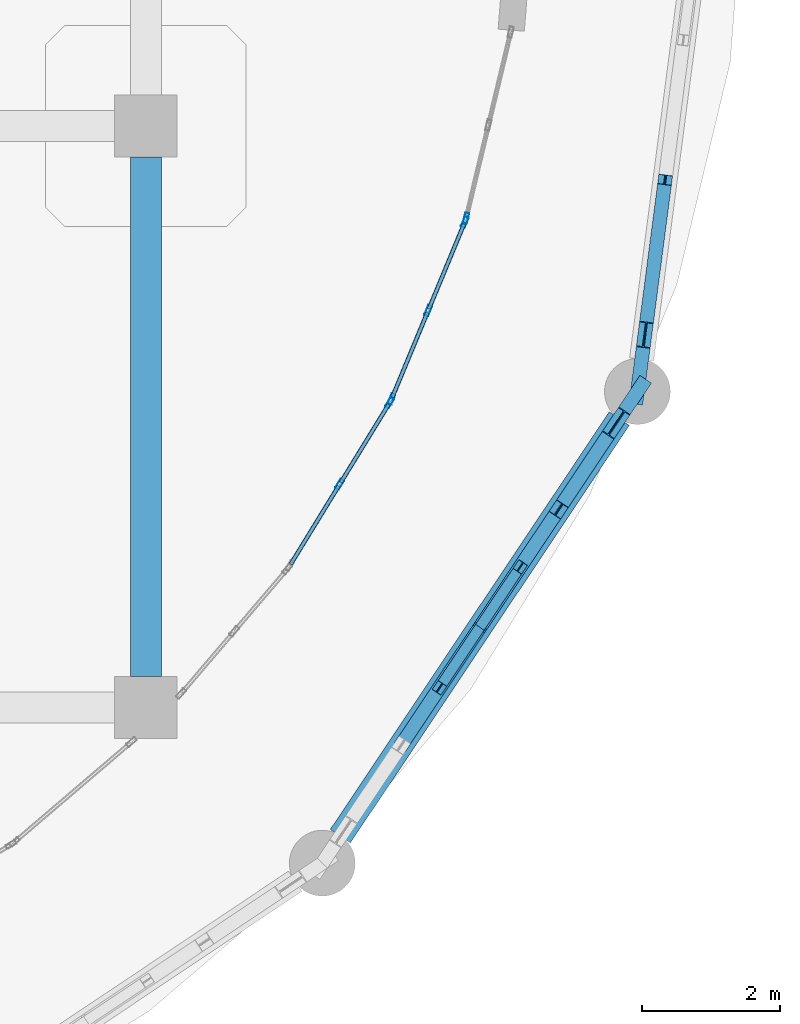
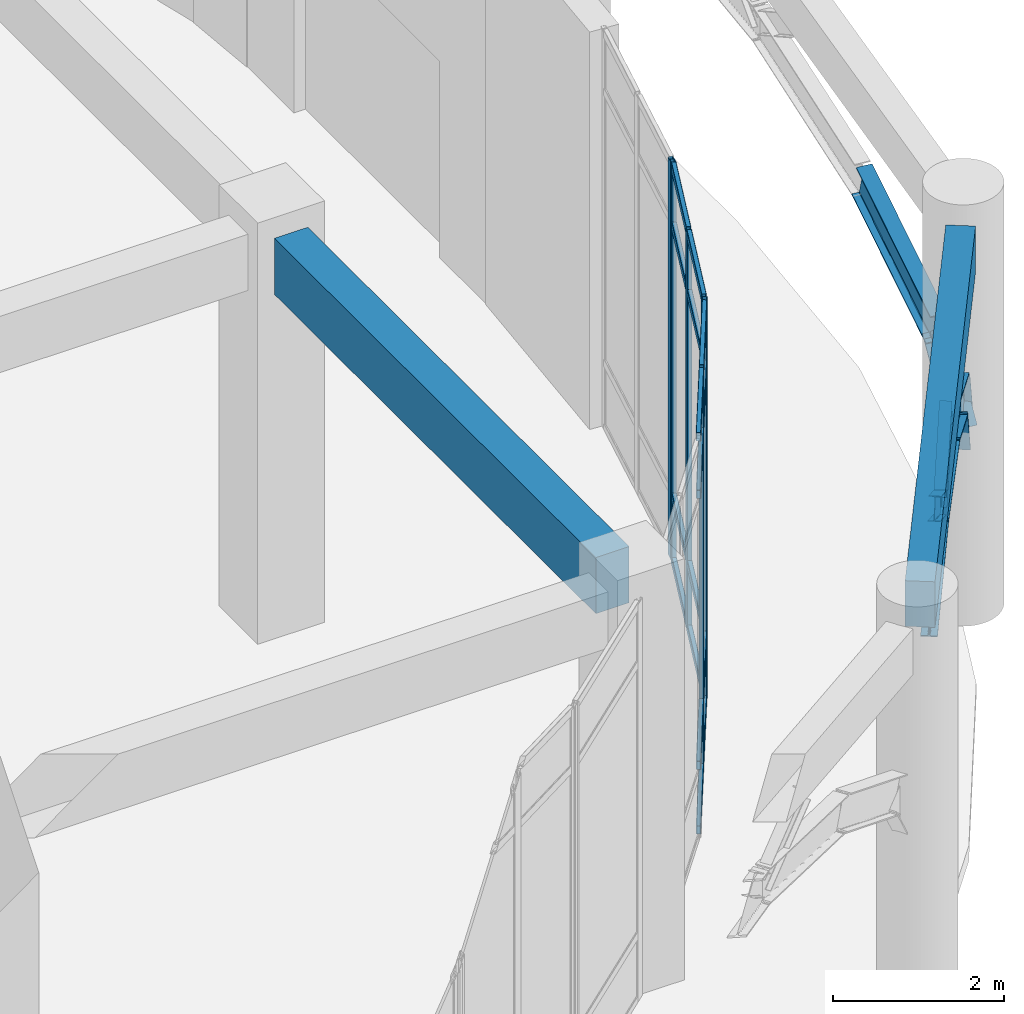
# One storey, part 30 of 82: 24 members, 8 beams, 3 elements without a shape of their own.
"""IFC4 building model written with IfcOpenShell, lengths in metres."""

import ifcopenshell
import ifcopenshell.guid

model = None  # the IFC model being written
_history = None  # IfcOwnerHistory: only IFC2X3 demands one
_inside = {}  # id of a spatial element -> (the spatial element, [elements in it])
_under = {}  # id of a project, library or spatial element -> (it, [spatial elements below it])
_declared = {}  # id of a project -> (the project, [libraries it declares])
_typed = {}  # id of a type object -> (the type object, [elements of that type])
_made_of = {}  # id of a material, layer set ... -> (it, [elements and type objects made of it])


def new_model(schema):
    """Start an empty IFC model of exactly this schema.

    Asked for "IFC4X3", IfcOpenShell would pick the latest addendum, in which some entities
    have other attributes; the version numbers below select the first issue.
    IFC2X3 requires an IfcOwnerHistory on every rooted entity: one is made here for all.
    """
    global model, _history
    if schema == "IFC4X3":
        model = ifcopenshell.file(schema_version=(4, 3, 0, 0))
    else:
        model = ifcopenshell.file(schema=schema)
    _inside.clear()
    _under.clear()
    _declared.clear()
    _typed.clear()
    _made_of.clear()
    _history = None
    if model.schema == "IFC2X3":
        org = make("IfcOrganization", Name="unknown")
        user = make(
            "IfcPersonAndOrganization",
            ThePerson=make("IfcPerson", FamilyName="unknown"),
            TheOrganization=org,
        )
        app = make(
            "IfcApplication",
            ApplicationDeveloper=org,
            Version="unknown",
            ApplicationFullName="unknown",
            ApplicationIdentifier="unknown",
        )
        _history = make(
            "IfcOwnerHistory",
            OwningUser=user,
            OwningApplication=app,
            ChangeAction="ADDED",
            CreationDate=0,
        )
    return model


def make(cls, **values):
    """One entity of the class cls with the attributes given. An attribute that is None is left unset."""
    return model.create_entity(
        cls, **{name: value for name, value in values.items() if value is not None}
    )


def rooted(cls, **values):
    """An entity with a GlobalId (a new one), such as an element, a storey or a relation."""
    return make(cls, GlobalId=ifcopenshell.guid.new(), OwnerHistory=_history, **values)


def si_unit(unit_type, name, prefix=None):
    """IfcSIUnit, for example si_unit("LENGTHUNIT", "METRE", prefix="MILLI")."""
    return make("IfcSIUnit", UnitType=unit_type, Prefix=prefix, Name=name)


def derived_unit(unit_type, elements):
    """IfcDerivedUnit: a product of units, each with its exponent."""
    return make(
        "IfcDerivedUnit",
        Elements=[
            make("IfcDerivedUnitElement", Unit=unit, Exponent=power)
            for unit, power in elements
        ],
        UnitType=unit_type,
    )


def assignment(units):
    """IfcUnitAssignment: the units of a project."""
    return None if units is None else make("IfcUnitAssignment", Units=units)


def point(xyz):
    """IfcCartesianPoint."""
    return None if xyz is None else make("IfcCartesianPoint", Coordinates=xyz)


def direction(xyz):
    """IfcDirection."""
    return None if xyz is None else make("IfcDirection", DirectionRatios=xyz)


def frame(location, z_axis=None, x_axis=None):
    """IfcAxis2Placement3D, a coordinate frame: its origin and axes. An axis left out is left unset."""
    return make(
        "IfcAxis2Placement3D",
        Location=point(location),
        Axis=direction(z_axis),
        RefDirection=direction(x_axis),
    )


def frame_2d(location, x_axis=None):
    """IfcAxis2Placement2D, a coordinate frame in the plane: its origin and x axis."""
    return make(
        "IfcAxis2Placement2D", Location=point(location), RefDirection=direction(x_axis)
    )


def origin():
    """The frame at (0, 0, 0) with its axes left unset."""
    return frame((0.0, 0.0, 0.0))


def origin_2d():
    """The frame at (0, 0) in the plane with its x axis left unset."""
    return frame_2d((0.0, 0.0))


def place(relative_to, where):
    """IfcLocalPlacement: puts the frame where relative to a parent placement (None: the world)."""
    return make(
        "IfcLocalPlacement", PlacementRelTo=relative_to, RelativePlacement=where
    )


def context(
    kind, dimensions, precision=None, world=None, true_north=None, identifier=None
):
    """IfcGeometricRepresentationContext, for example the 3D "Model" context."""
    return make(
        "IfcGeometricRepresentationContext",
        ContextIdentifier=identifier,
        ContextType=kind,
        CoordinateSpaceDimension=dimensions,
        Precision=precision,
        WorldCoordinateSystem=world,
        TrueNorth=true_north,
    )


def subcontext(parent, identifier, kind, view, scale=None):
    """IfcGeometricRepresentationSubContext, for example "Body" below "Model"."""
    return make(
        "IfcGeometricRepresentationSubContext",
        ContextIdentifier=identifier,
        ContextType=kind,
        ParentContext=parent,
        TargetScale=scale,
        TargetView=view,
    )


def project(units=None, contexts=None):
    """IfcProject with its units and contexts."""
    return rooted(
        "IfcProject",
        Name="project",
        RepresentationContexts=contexts,
        UnitsInContext=assignment(units),
    )


def spatial(cls, under=None, at=None, **own):
    """A site, building, storey or space (cls), placed at a placement, below another one or the project."""
    s = rooted(cls, ObjectPlacement=at, **own)
    if under is not None:
        _under.setdefault(under.id(), (under, []))[1].append(s)
    return s


def profile(cls, at=None, kind="AREA", **sizes):
    """A parametric profile (cls). Its sizes go by their IFC names, for example OverallWidth=200.0."""
    return make(cls, ProfileType=kind, Position=at, **sizes)


def rectangle(**sizes):
    """IfcRectangleProfileDef."""
    return profile("IfcRectangleProfileDef", **sizes)


def hollow_rectangle(**sizes):
    """IfcRectangleHollowProfileDef."""
    return profile("IfcRectangleHollowProfileDef", **sizes)


def i_section(**sizes):
    """IfcIShapeProfileDef."""
    return profile("IfcIShapeProfileDef", **sizes)


def extrude(swept, where, along, depth):
    """IfcExtrudedAreaSolid: the profile swept, set in the frame where, extruded along a direction by depth."""
    return make(
        "IfcExtrudedAreaSolid",
        SweptArea=swept,
        Position=where,
        ExtrudedDirection=direction(along),
        Depth=depth,
    )


def shape(context_of_items, identifier, shape_type, items):
    """IfcShapeRepresentation: the items that make up one representation, for example the "Body"."""
    return make(
        "IfcShapeRepresentation",
        ContextOfItems=context_of_items,
        RepresentationIdentifier=identifier,
        RepresentationType=shape_type,
        Items=items,
    )


def material(Name=None, Category=None):
    """IfcMaterial."""
    return make("IfcMaterial", Name=Name, Category=Category)


def layer(
    of_material, thickness, ventilated=None, Name=None, Category=None, Priority=None
):
    """IfcMaterialLayer: one layer of a wall or slab, of a material (None: an air gap)."""
    return make(
        "IfcMaterialLayer",
        Material=of_material,
        LayerThickness=thickness,
        IsVentilated=ventilated,
        Name=Name,
        Category=Category,
        Priority=Priority,
    )


def layer_set(layers, Name=None):
    """IfcMaterialLayerSet."""
    return make("IfcMaterialLayerSet", MaterialLayers=layers, LayerSetName=Name)


def material_profile(
    of_material, cross_section, Name=None, Category=None, Priority=None
):
    """IfcMaterialProfile: a cross section and its material."""
    return make(
        "IfcMaterialProfile",
        Name=Name,
        Material=of_material,
        Profile=cross_section,
        Priority=Priority,
        Category=Category,
    )


def profile_set(profiles, Name=None, composite=None):
    """IfcMaterialProfileSet."""
    return make(
        "IfcMaterialProfileSet",
        Name=Name,
        MaterialProfiles=profiles,
        CompositeProfile=composite,
    )


def made_of(thing, what):
    """Note that an element or type object is made of a material, layer set ...; save() writes the relation."""
    if what is not None:
        _made_of.setdefault(what.id(), (what, []))[1].append(thing)
    return thing


def type_object(cls, material=None, **own):
    """A type object (cls), such as IfcWallType, which elements share."""
    return made_of(rooted(cls, **own), material)


def element(
    cls,
    number,
    at=None,
    inside=None,
    cuts=None,
    type_object=None,
    material=None,
    context=None,
    identifier="Body",
    shape_type=None,
    held_by="IfcProductDefinitionShape",
    body=None,
    shapes=None,
    **own,
):
    """One element of the class cls, such as IfcWall. Its Tag is "e" and its number.

    at: its placement. inside: the storey or other place that contains it. cuts: it is an
    opening in that element (IfcRelVoidsElement). A single representation is given by context,
    identifier, shape_type and body (its items); several are given by shapes. held_by: the class
    of the entity that holds the representations. save() writes the other relations.
    """
    e = rooted(cls, Tag="e%d" % number, ObjectPlacement=at, **own)
    if body is not None:
        shapes = [shape(context, identifier, shape_type, body)]
    if shapes is not None:
        e.Representation = make(held_by, Representations=shapes)
    if inside is not None:
        _inside.setdefault(inside.id(), (inside, []))[1].append(e)
    if cuts is not None:
        rooted(
            "IfcRelVoidsElement", RelatingBuildingElement=cuts, RelatedOpeningElement=e
        )
    if type_object is not None:
        _typed.setdefault(type_object.id(), (type_object, []))[1].append(e)
    return made_of(e, material)


def aggregate(whole, parts):
    """IfcRelAggregates: a whole, such as a stair, and the parts it consists of."""
    return rooted("IfcRelAggregates", RelatingObject=whole, RelatedObjects=parts)


def save(model, path):
    """Write the relations noted so far, then the file.

    IfcRelAggregates (storeys below a building ...), IfcRelContainedInSpatialStructure (elements
    in a storey), IfcRelDefinesByType, IfcRelAssociatesMaterial and IfcRelDeclares: one each for
    every whole, place, type object, material and project.
    """
    for whole, parts in _under.values():
        aggregate(whole, parts)
    for where, things in _inside.values():
        rooted(
            "IfcRelContainedInSpatialStructure",
            RelatedElements=things,
            RelatingStructure=where,
        )
    for kind, things in _typed.values():
        rooted("IfcRelDefinesByType", RelatedObjects=things, RelatingType=kind)
    for what, things in _made_of.values():
        rooted("IfcRelAssociatesMaterial", RelatedObjects=things, RelatingMaterial=what)
    for by, libraries in _declared.values():
        rooted("IfcRelDeclares", RelatingContext=by, RelatedDefinitions=libraries)
    model.write(path)


model = new_model("IFC4")

# Units and contexts
model_context = context("Model", 3, precision=1e-05, world=origin(), true_north=direction((0.0, 1.0)))
body_context = subcontext(model_context, "Body", "Model", "MODEL_VIEW")
ifc_project = project(units=[si_unit("LENGTHUNIT", "METRE"), si_unit("AREAUNIT", "SQUARE_METRE"), si_unit("VOLUMEUNIT", "CUBIC_METRE"), si_unit("PLANEANGLEUNIT", "RADIAN"), si_unit("MASSUNIT", "GRAM", prefix="KILO"), derived_unit("THERMALTRANSMITTANCEUNIT", [(si_unit("MASSUNIT", "GRAM", prefix="KILO"), 1), (si_unit("TIMEUNIT", "SECOND"), -3), (si_unit("THERMODYNAMICTEMPERATUREUNIT", "KELVIN"), -1)])], contexts=[model_context])

# Site, building, storey
site_placement = place(None, origin())
site = spatial("IfcSite", under=ifc_project, at=site_placement, CompositionType="ELEMENT")
building_placement = place(site_placement, origin())
building = spatial("IfcBuilding", under=site, at=building_placement, Name="Qinzheling Arcade Emporium", CompositionType="ELEMENT")
storey_placement = place(building_placement, origin())
storey = spatial("IfcBuildingStorey", under=building, at=storey_placement, Name="L01", CompositionType="ELEMENT", Elevation=0.0)

# Beams
ifc_material_1 = material(Name="Weathering steel Q355NH", Category="steel")
ifc_material_profile_1 = material_profile(ifc_material_1, i_section(OverallWidth=0.199951171875, OverallDepth=0.5, WebThickness=0.010009765625, FlangeThickness=0.01611328125, FilletRadius=0.01806640625, at=origin_2d()), Name="HN 500x200x10x16", Category="steel")
ifc_profile_set_1 = profile_set([ifc_material_profile_1], Name="Weathering steel Q355NH")
beam_type_1 = type_object("IfcBeamType", Name="Arcade End Arch Rib HN500 Q355NH", PredefinedType="BEAM", material=ifc_profile_set_1)
beam_1_placement = place(storey_placement, frame((168.987060546875, 7.85400390625, 4.0400390625), z_axis=(0.55140911939, 0.825753197456, 0.118657658603), x_axis=(-0.831628465866, 0.555332418252, 0.0)))
element("IfcBeam", 1, at=beam_1_placement, inside=storey, type_object=beam_type_1, Name="Curved Arcade Entrance Arch ARC-L01-CV4-B03-C03", PredefinedType="BEAM", context=body_context, shape_type="SweptSolid", body=[
    extrude(i_section(OverallWidth=0.199951171875, OverallDepth=0.5, WebThickness=0.010009765625, FlangeThickness=0.01611328125, FilletRadius=0.01806640625, at=origin_2d()), origin(), (0.0, 0.0, 1.0), 2.063720703125),
])
beam_2_placement = place(storey_placement, frame((170.125, 9.55810546875, 4.284912109375), z_axis=(0.551678552955, 0.825564880254, -0.118715637978), x_axis=(-0.831444611991, 0.555607646808, 0.0)))
element("IfcBeam", 2, at=beam_2_placement, inside=storey, type_object=beam_type_1, Name="Curved Arcade Entrance Arch ARC-L01-CV4-B03-C04", PredefinedType="BEAM", context=body_context, shape_type="SweptSolid", body=[
    extrude(i_section(OverallWidth=0.199951171875, OverallDepth=0.5, WebThickness=0.010009765625, FlangeThickness=0.01611328125, FilletRadius=0.01806640625, at=origin_2d()), origin(), (0.0, 0.0, 1.0), 2.062744140625),
])
beam_3_placement = place(storey_placement, frame((171.262939453125, 11.260986328125, 4.0400390625), z_axis=(0.507397176449, 0.759608668611, -0.406869482639), x_axis=(-0.831549052106, 0.555451324547, 0.0)))
element("IfcBeam", 3, at=beam_3_placement, inside=storey, type_object=beam_type_1, Name="Curved Arcade Entrance Arch ARC-L01-CV4-B03-C05", PredefinedType="BEAM", context=body_context, shape_type="SweptSolid", body=[
    extrude(i_section(OverallWidth=0.199951171875, OverallDepth=0.5, WebThickness=0.010009765625, FlangeThickness=0.01611328125, FilletRadius=0.01806640625, at=origin_2d()), origin(), (0.0, 0.0, 1.0), 1.641845703125),
])
beam_4_placement = place(storey_placement, frame((172.095947265625, 12.508056640625, 3.3720703125), z_axis=(0.286486570558, 0.428468305687, -0.856936611373), x_axis=(-0.831296417556, 0.555829349854, 0.0)))
element("IfcBeam", 4, at=beam_4_placement, inside=storey, type_object=beam_type_1, Name="Curved Arcade Entrance Arch ARC-L01-CV4-B03-C06", PredefinedType="BEAM", context=body_context, shape_type="SweptSolid", body=[
    extrude(i_section(OverallWidth=0.199951171875, OverallDepth=0.5, WebThickness=0.010009765625, FlangeThickness=0.01611328125, FilletRadius=0.01806640625, at=origin_2d()), origin(), (0.0, 0.0, 1.0), 1.064453125),
])
beam_5_placement = place(storey_placement, frame((172.40087890625, 12.964111328125, 2.4599609375), z_axis=(0.087060375709, 0.665942463849, 0.740905611954), x_axis=(-0.991562497728, 0.129629522484, 0.0)))
element("IfcBeam", 5, at=beam_5_placement, inside=storey, type_object=beam_type_1, Name="Curved Arcade Entrance Arch ARC-L01-CV4-B04-C01", PredefinedType="BEAM", context=body_context, shape_type="SweptSolid", body=[
    extrude(i_section(OverallWidth=0.199951171875, OverallDepth=0.5, WebThickness=0.010009765625, FlangeThickness=0.01611328125, FilletRadius=0.01806640625, at=origin_2d()), origin(), (0.0, 0.0, 1.0), 1.23095703125),
])
beam_6_placement = place(storey_placement, frame((172.508056640625, 13.783935546875, 3.3720703125), z_axis=(0.12441217433, 0.950820042316, 0.283659757472), x_axis=(-0.991547878473, 0.129741299113, 0.0)))
element("IfcBeam", 6, at=beam_6_placement, inside=storey, type_object=beam_type_1, Name="Curved Arcade Entrance Arch ARC-L01-CV4-B04-C02", PredefinedType="BEAM", context=body_context, shape_type="SweptSolid", body=[
    extrude(i_section(OverallWidth=0.199951171875, OverallDepth=0.5, WebThickness=0.010009765625, FlangeThickness=0.01611328125, FilletRadius=0.01806640625, at=origin_2d()), origin(), (0.0, 0.0, 1.0), 2.354736328125),
])

# Members
ifc_material_profile_2 = material_profile(ifc_material_1, i_section(OverallWidth=0.14990234375, OverallDepth=0.300048828125, WebThickness=0.006591796875, FlangeThickness=0.009033203125, FilletRadius=0.012939453125, at=origin_2d()), Name="HN 300x150x6.5x9", Category="steel")
ifc_profile_set_2 = profile_set([ifc_material_profile_2], Name="Weathering steel Q355NH")
member_type_1 = type_object("IfcMemberType", Name="Arcade Spandrel Web Chord HN300 Q355NH", PredefinedType="CHORD", material=ifc_profile_set_2)
member_1_placement = place(storey_placement, frame((170.125, 9.55810546875, 4.294921875), z_axis=(-0.473882025007, -0.710426151393, 0.520317700825), x_axis=(0.83190726587, -0.554914679021, 0.0)))
element("IfcMember", 7, at=member_1_placement, inside=storey, type_object=member_type_1, Name="Arcade Spandrel Web Chord ASW-L01-CV4-B03-W1", PredefinedType="CHORD", context=body_context, shape_type="SweptSolid", body=[
    extrude(i_section(OverallWidth=0.14990234375, OverallDepth=0.300048828125, WebThickness=0.006591796875, FlangeThickness=0.009033203125, FilletRadius=0.012939453125, at=origin_2d()), origin(), (0.0, 0.0, 1.0), 1.230224609375),
])
member_2_placement = place(storey_placement, frame((170.125, 9.55810546875, 4.294921875), z_axis=(0.474216182254, 0.709934192444, 0.520684602123), x_axis=(-0.831548967976, 0.555451450497, 0.0)))
element("IfcMember", 8, at=member_2_placement, inside=storey, type_object=member_type_1, Name="Arcade Spandrel Web Chord ASW-L01-CV4-B03-W2", PredefinedType="CHORD", context=body_context, shape_type="SweptSolid", body=[
    extrude(i_section(OverallWidth=0.14990234375, OverallDepth=0.300048828125, WebThickness=0.006591796875, FlangeThickness=0.009033203125, FilletRadius=0.012939453125, at=origin_2d()), origin(), (0.0, 0.0, 1.0), 1.2294921875),
])

# Curtain wall, member
ifc_material_2 = material(Name="Anodised aluminium and solar-control double glazing", Category="aluminium")
ifc_layer = layer(ifc_material_2, 0.159912109375, Name="Anodised aluminium and solar-control double glazing", Category="aluminium")
ifc_layer_set = layer_set([ifc_layer], Name="Anodised aluminium and solar-control double glazing")
curtain_wall_type = type_object("IfcCurtainWallType", Name="Curved Ribbon Sales Curtain Wall", PredefinedType="NOTDEFINED", material=ifc_layer_set)
curtain_wall_1_placement = place(storey_placement, origin())
curtain_wall_1 = element("IfcCurtainWall", 9, at=curtain_wall_1_placement, inside=storey, type_object=curtain_wall_type, Name="Curtain Wall CW-L01-001", PredefinedType="NOTDEFINED")
ifc_material_3 = material(Name="Anodised aluminium 6063-T6", Category="aluminium")
ifc_material_profile_3 = material_profile(ifc_material_3, hollow_rectangle(XDim=0.06005859375, YDim=0.159912109375, WallThickness=0.00390625, InnerFilletRadius=0.00390625, OuterFilletRadius=0.008056640625, at=origin_2d()), Name="RHS 160x60x4", Category="aluminium")
ifc_profile_set_3 = profile_set([ifc_material_profile_3], Name="Anodised aluminium 6063-T6")
member_type_2 = type_object("IfcMemberType", Name="Curtain Wall Mullion RHS160x60", PredefinedType="MULLION", material=ifc_profile_set_3)
member_3_placement = place(storey_placement, frame((169.926025390625, 15.46728515625, 0.0), z_axis=(0.0, 0.0, 1.0), x_axis=(0.972390516216, -0.233359559423, 0.0)))
member_3 = element("IfcMember", 10, at=member_3_placement, type_object=member_type_2, Name="CW02 mullion 3", PredefinedType="MULLION", context=body_context, shape_type="SweptSolid", body=[
    extrude(hollow_rectangle(XDim=0.06005859375, YDim=0.159912109375, WallThickness=0.00390625, InnerFilletRadius=0.00390625, OuterFilletRadius=0.008056640625, at=origin_2d()), origin(), (0.0, 0.0, 1.0), 5.659912109375),
])
aggregate(curtain_wall_1, [member_3])

# Curtain wall, members
curtain_wall_2_placement = place(storey_placement, origin())
curtain_wall_2 = element("IfcCurtainWall", 11, at=curtain_wall_2_placement, inside=storey, type_object=curtain_wall_type, Name="Curtain Wall CW-L01-002", PredefinedType="NOTDEFINED")
member_4_placement = place(storey_placement, frame((169.907470703125, 15.410400390625, 0.0), z_axis=(0.0, 0.0, 1.0), x_axis=(0.923891721508, -0.382654004198, 0.0)))
member_4 = element("IfcMember", 12, at=member_4_placement, type_object=member_type_2, Name="CW02 mullion 1", PredefinedType="MULLION", context=body_context, shape_type="SweptSolid", body=[
    extrude(hollow_rectangle(XDim=0.06005859375, YDim=0.159912109375, WallThickness=0.00390625, InnerFilletRadius=0.00390625, OuterFilletRadius=0.008056640625, at=origin_2d()), origin(), (0.0, 0.0, 1.0), 5.659912109375),
])
member_5_placement = place(storey_placement, frame((169.37841796875, 14.133056640625, 0.0), z_axis=(0.0, 0.0, 1.0), x_axis=(0.923891721508, -0.382654004198, 0.0)))
member_5 = element("IfcMember", 13, at=member_5_placement, type_object=member_type_2, Name="CW02 mullion 2", PredefinedType="MULLION", context=body_context, shape_type="SweptSolid", body=[
    extrude(hollow_rectangle(XDim=0.06005859375, YDim=0.159912109375, WallThickness=0.00390625, InnerFilletRadius=0.00390625, OuterFilletRadius=0.008056640625, at=origin_2d()), origin(), (0.0, 0.0, 1.0), 5.659912109375),
])
member_6_placement = place(storey_placement, frame((168.849365234375, 12.855712890625, 0.0), z_axis=(0.0, 0.0, 1.0), x_axis=(0.923891721508, -0.382654004198, 0.0)))
member_6 = element("IfcMember", 14, at=member_6_placement, type_object=member_type_2, Name="CW02 mullion 3", PredefinedType="MULLION", context=body_context, shape_type="SweptSolid", body=[
    extrude(hollow_rectangle(XDim=0.06005859375, YDim=0.159912109375, WallThickness=0.00390625, InnerFilletRadius=0.00390625, OuterFilletRadius=0.008056640625, at=origin_2d()), origin(), (0.0, 0.0, 1.0), 5.659912109375),
])

curtain_wall_3_placement = place(storey_placement, origin())
curtain_wall_3 = element("IfcCurtainWall", 15, at=curtain_wall_3_placement, inside=storey, type_object=curtain_wall_type, Name="Curtain Wall CW-L01-003", PredefinedType="NOTDEFINED")
member_7_placement = place(storey_placement, frame((168.822265625, 12.802490234375, 0.0), z_axis=(0.0, 0.0, 1.0), x_axis=(0.852580897222, -0.522595267575, 0.0)))
member_7 = element("IfcMember", 16, at=member_7_placement, type_object=member_type_2, Name="CW02 mullion 1", PredefinedType="MULLION", context=body_context, shape_type="SweptSolid", body=[
    extrude(hollow_rectangle(XDim=0.06005859375, YDim=0.159912109375, WallThickness=0.00390625, InnerFilletRadius=0.00390625, OuterFilletRadius=0.008056640625, at=origin_2d()), origin(), (0.0, 0.0, 1.0), 5.659912109375),
])
member_8_placement = place(storey_placement, frame((168.10009765625, 11.6240234375, 0.0), z_axis=(0.0, 0.0, 1.0), x_axis=(0.852580897222, -0.522595267575, 0.0)))
member_8 = element("IfcMember", 17, at=member_8_placement, type_object=member_type_2, Name="CW02 mullion 2", PredefinedType="MULLION", context=body_context, shape_type="SweptSolid", body=[
    extrude(hollow_rectangle(XDim=0.06005859375, YDim=0.159912109375, WallThickness=0.00390625, InnerFilletRadius=0.00390625, OuterFilletRadius=0.008056640625, at=origin_2d()), origin(), (0.0, 0.0, 1.0), 5.659912109375),
])

# Member
ifc_material_profile_4 = material_profile(ifc_material_3, hollow_rectangle(XDim=0.06005859375, YDim=0.1201171875, WallThickness=0.00390625, InnerFilletRadius=0.00390625, OuterFilletRadius=0.008056640625, at=origin_2d()), Name="RHS 120x60x4", Category="aluminium")
ifc_profile_set_4 = profile_set([ifc_material_profile_4], Name="Anodised aluminium 6063-T6")
member_type_3 = type_object("IfcMemberType", Name="Curtain Wall Transom RHS120x60", PredefinedType="USERDEFINED", material=ifc_profile_set_4)
member_9_placement = place(storey_placement, frame((169.89599609375, 15.382568359375, 0.030029296875), z_axis=(-0.382661550363, -0.92388859603, 0.0), x_axis=(0.92388859603, -0.382661550363, 0.0)))
member_9 = element("IfcMember", 18, at=member_9_placement, type_object=member_type_3, Name="CW02 transom 1.1", ObjectType="TRANSOM", PredefinedType="USERDEFINED", context=body_context, shape_type="SweptSolid", body=[
    extrude(hollow_rectangle(XDim=0.06005859375, YDim=0.1201171875, WallThickness=0.00390625, InnerFilletRadius=0.00390625, OuterFilletRadius=0.008056640625, at=origin_2d()), origin(), (0.0, 0.0, 1.0), 1.322509765625),
])

member_10_placement = place(storey_placement, frame((169.89599609375, 15.382568359375, 0.949951171875), z_axis=(-0.382661550363, -0.92388859603, 0.0), x_axis=(0.92388859603, -0.382661550363, 0.0)))
member_10 = element("IfcMember", 19, at=member_10_placement, type_object=member_type_3, Name="CW02 transom 1.2", ObjectType="TRANSOM", PredefinedType="USERDEFINED", context=body_context, shape_type="SweptSolid", body=[
    extrude(hollow_rectangle(XDim=0.06005859375, YDim=0.1201171875, WallThickness=0.00390625, InnerFilletRadius=0.00390625, OuterFilletRadius=0.008056640625, at=origin_2d()), origin(), (0.0, 0.0, 1.0), 1.322509765625),
])

member_11_placement = place(storey_placement, frame((169.89599609375, 15.382568359375, 4.81005859375), z_axis=(-0.382661550363, -0.92388859603, 0.0), x_axis=(0.92388859603, -0.382661550363, 0.0)))
member_11 = element("IfcMember", 20, at=member_11_placement, type_object=member_type_3, Name="CW02 transom 1.3", ObjectType="TRANSOM", PredefinedType="USERDEFINED", context=body_context, shape_type="SweptSolid", body=[
    extrude(hollow_rectangle(XDim=0.06005859375, YDim=0.1201171875, WallThickness=0.00390625, InnerFilletRadius=0.00390625, OuterFilletRadius=0.008056640625, at=origin_2d()), origin(), (0.0, 0.0, 1.0), 1.322509765625),
])

member_12_placement = place(storey_placement, frame((169.89599609375, 15.382568359375, 5.6298828125), z_axis=(-0.382661550363, -0.92388859603, 0.0), x_axis=(0.92388859603, -0.382661550363, 0.0)))
member_12 = element("IfcMember", 21, at=member_12_placement, type_object=member_type_3, Name="CW02 transom 1.4", ObjectType="TRANSOM", PredefinedType="USERDEFINED", context=body_context, shape_type="SweptSolid", body=[
    extrude(hollow_rectangle(XDim=0.06005859375, YDim=0.1201171875, WallThickness=0.00390625, InnerFilletRadius=0.00390625, OuterFilletRadius=0.008056640625, at=origin_2d()), origin(), (0.0, 0.0, 1.0), 1.322509765625),
])

member_13_placement = place(storey_placement, frame((169.366943359375, 14.105224609375, 0.030029296875), z_axis=(-0.382726820974, -0.923861559167, 0.0), x_axis=(0.923861559167, -0.382726820974, 0.0)))
member_13 = element("IfcMember", 22, at=member_13_placement, type_object=member_type_3, Name="CW02 transom 2.1", ObjectType="TRANSOM", PredefinedType="USERDEFINED", context=body_context, shape_type="SweptSolid", body=[
    extrude(hollow_rectangle(XDim=0.06005859375, YDim=0.1201171875, WallThickness=0.00390625, InnerFilletRadius=0.00390625, OuterFilletRadius=0.008056640625, at=origin_2d()), origin(), (0.0, 0.0, 1.0), 1.322265625),
])

member_14_placement = place(storey_placement, frame((169.366943359375, 14.105224609375, 0.949951171875), z_axis=(-0.382726820974, -0.923861559167, 0.0), x_axis=(0.923861559167, -0.382726820974, 0.0)))
member_14 = element("IfcMember", 23, at=member_14_placement, type_object=member_type_3, Name="CW02 transom 2.2", ObjectType="TRANSOM", PredefinedType="USERDEFINED", context=body_context, shape_type="SweptSolid", body=[
    extrude(hollow_rectangle(XDim=0.06005859375, YDim=0.1201171875, WallThickness=0.00390625, InnerFilletRadius=0.00390625, OuterFilletRadius=0.008056640625, at=origin_2d()), origin(), (0.0, 0.0, 1.0), 1.322265625),
])

member_15_placement = place(storey_placement, frame((169.366943359375, 14.105224609375, 4.81005859375), z_axis=(-0.382726820974, -0.923861559167, 0.0), x_axis=(0.923861559167, -0.382726820974, 0.0)))
member_15 = element("IfcMember", 24, at=member_15_placement, type_object=member_type_3, Name="CW02 transom 2.3", ObjectType="TRANSOM", PredefinedType="USERDEFINED", context=body_context, shape_type="SweptSolid", body=[
    extrude(hollow_rectangle(XDim=0.06005859375, YDim=0.1201171875, WallThickness=0.00390625, InnerFilletRadius=0.00390625, OuterFilletRadius=0.008056640625, at=origin_2d()), origin(), (0.0, 0.0, 1.0), 1.322265625),
])

member_16_placement = place(storey_placement, frame((169.366943359375, 14.105224609375, 5.6298828125), z_axis=(-0.382726820974, -0.923861559167, 0.0), x_axis=(0.923861559167, -0.382726820974, 0.0)))
member_16 = element("IfcMember", 25, at=member_16_placement, type_object=member_type_3, Name="CW02 transom 2.4", ObjectType="TRANSOM", PredefinedType="USERDEFINED", context=body_context, shape_type="SweptSolid", body=[
    extrude(hollow_rectangle(XDim=0.06005859375, YDim=0.1201171875, WallThickness=0.00390625, InnerFilletRadius=0.00390625, OuterFilletRadius=0.008056640625, at=origin_2d()), origin(), (0.0, 0.0, 1.0), 1.322265625),
])

aggregate(curtain_wall_2, [member_4, member_5, member_6, member_9, member_10, member_11, member_12, member_13, member_14, member_15, member_16])

member_17_placement = place(storey_placement, frame((168.806640625, 12.77685546875, 0.030029296875), z_axis=(-0.522592368923, -0.852582673964, 0.0), x_axis=(0.852582673964, -0.522592368923, 0.0)))
member_17 = element("IfcMember", 26, at=member_17_placement, type_object=member_type_3, Name="CW02 transom 1.1", ObjectType="TRANSOM", PredefinedType="USERDEFINED", context=body_context, shape_type="SweptSolid", body=[
    extrude(hollow_rectangle(XDim=0.06005859375, YDim=0.1201171875, WallThickness=0.00390625, InnerFilletRadius=0.00390625, OuterFilletRadius=0.008056640625, at=origin_2d()), origin(), (0.0, 0.0, 1.0), 1.322021484375),
])

member_18_placement = place(storey_placement, frame((168.806640625, 12.77685546875, 0.949951171875), z_axis=(-0.522592368923, -0.852582673964, 0.0), x_axis=(0.852582673964, -0.522592368923, 0.0)))
member_18 = element("IfcMember", 27, at=member_18_placement, type_object=member_type_3, Name="CW02 transom 1.2", ObjectType="TRANSOM", PredefinedType="USERDEFINED", context=body_context, shape_type="SweptSolid", body=[
    extrude(hollow_rectangle(XDim=0.06005859375, YDim=0.1201171875, WallThickness=0.00390625, InnerFilletRadius=0.00390625, OuterFilletRadius=0.008056640625, at=origin_2d()), origin(), (0.0, 0.0, 1.0), 1.322021484375),
])

member_19_placement = place(storey_placement, frame((168.806640625, 12.77685546875, 4.81005859375), z_axis=(-0.522592368923, -0.852582673964, 0.0), x_axis=(0.852582673964, -0.522592368923, 0.0)))
member_19 = element("IfcMember", 28, at=member_19_placement, type_object=member_type_3, Name="CW02 transom 1.3", ObjectType="TRANSOM", PredefinedType="USERDEFINED", context=body_context, shape_type="SweptSolid", body=[
    extrude(hollow_rectangle(XDim=0.06005859375, YDim=0.1201171875, WallThickness=0.00390625, InnerFilletRadius=0.00390625, OuterFilletRadius=0.008056640625, at=origin_2d()), origin(), (0.0, 0.0, 1.0), 1.322021484375),
])

member_20_placement = place(storey_placement, frame((168.806640625, 12.77685546875, 5.6298828125), z_axis=(-0.522592368923, -0.852582673964, 0.0), x_axis=(0.852582673964, -0.522592368923, 0.0)))
member_20 = element("IfcMember", 29, at=member_20_placement, type_object=member_type_3, Name="CW02 transom 1.4", ObjectType="TRANSOM", PredefinedType="USERDEFINED", context=body_context, shape_type="SweptSolid", body=[
    extrude(hollow_rectangle(XDim=0.06005859375, YDim=0.1201171875, WallThickness=0.00390625, InnerFilletRadius=0.00390625, OuterFilletRadius=0.008056640625, at=origin_2d()), origin(), (0.0, 0.0, 1.0), 1.322021484375),
])

member_21_placement = place(storey_placement, frame((168.084228515625, 11.598388671875, 0.030029296875), z_axis=(-0.522592368923, -0.852582673964, 0.0), x_axis=(0.852582673964, -0.522592368923, 0.0)))
member_21 = element("IfcMember", 30, at=member_21_placement, type_object=member_type_3, Name="CW02 transom 2.1", ObjectType="TRANSOM", PredefinedType="USERDEFINED", context=body_context, shape_type="SweptSolid", body=[
    extrude(hollow_rectangle(XDim=0.06005859375, YDim=0.1201171875, WallThickness=0.00390625, InnerFilletRadius=0.00390625, OuterFilletRadius=0.008056640625, at=origin_2d()), origin(), (0.0, 0.0, 1.0), 1.322021484375),
])

member_22_placement = place(storey_placement, frame((168.084228515625, 11.598388671875, 0.949951171875), z_axis=(-0.522592368923, -0.852582673964, 0.0), x_axis=(0.852582673964, -0.522592368923, 0.0)))
member_22 = element("IfcMember", 31, at=member_22_placement, type_object=member_type_3, Name="CW02 transom 2.2", ObjectType="TRANSOM", PredefinedType="USERDEFINED", context=body_context, shape_type="SweptSolid", body=[
    extrude(hollow_rectangle(XDim=0.06005859375, YDim=0.1201171875, WallThickness=0.00390625, InnerFilletRadius=0.00390625, OuterFilletRadius=0.008056640625, at=origin_2d()), origin(), (0.0, 0.0, 1.0), 1.322021484375),
])

member_23_placement = place(storey_placement, frame((168.084228515625, 11.598388671875, 4.81005859375), z_axis=(-0.522592368923, -0.852582673964, 0.0), x_axis=(0.852582673964, -0.522592368923, 0.0)))
member_23 = element("IfcMember", 32, at=member_23_placement, type_object=member_type_3, Name="CW02 transom 2.3", ObjectType="TRANSOM", PredefinedType="USERDEFINED", context=body_context, shape_type="SweptSolid", body=[
    extrude(hollow_rectangle(XDim=0.06005859375, YDim=0.1201171875, WallThickness=0.00390625, InnerFilletRadius=0.00390625, OuterFilletRadius=0.008056640625, at=origin_2d()), origin(), (0.0, 0.0, 1.0), 1.322021484375),
])

member_24_placement = place(storey_placement, frame((168.084228515625, 11.598388671875, 5.6298828125), z_axis=(-0.522592368923, -0.852582673964, 0.0), x_axis=(0.852582673964, -0.522592368923, 0.0)))
member_24 = element("IfcMember", 33, at=member_24_placement, type_object=member_type_3, Name="CW02 transom 2.4", ObjectType="TRANSOM", PredefinedType="USERDEFINED", context=body_context, shape_type="SweptSolid", body=[
    extrude(hollow_rectangle(XDim=0.06005859375, YDim=0.1201171875, WallThickness=0.00390625, InnerFilletRadius=0.00390625, OuterFilletRadius=0.008056640625, at=origin_2d()), origin(), (0.0, 0.0, 1.0), 1.322021484375),
])

aggregate(curtain_wall_3, [member_7, member_8, member_17, member_18, member_19, member_20, member_21, member_22, member_23, member_24])

# Beams
ifc_material_4 = material(Name="Concrete C40", Category="concrete")
ifc_material_profile_5 = material_profile(ifc_material_4, rectangle(XDim=0.449951171875, YDim=0.800048828125, at=origin_2d()), Name="RC 450x800", Category="concrete")
ifc_profile_set_5 = profile_set([ifc_material_profile_5], Name="Concrete C40")
beam_type_2 = type_object("IfcBeamType", Name="RC Primary Frame Beam 450x800 C40", PredefinedType="BEAM", material=ifc_profile_set_5)
beam_7_placement = place(storey_placement, frame((165.300048828125, 8.85009765625, 5.304931640625), z_axis=(0.0, 1.0, 0.0), x_axis=(-1.0, 0.0, 0.0)))
element("IfcBeam", 34, at=beam_7_placement, inside=storey, type_object=beam_type_2, Name="Beam BM-L01-Y-20-B", PredefinedType="BEAM", context=body_context, shape_type="SweptSolid", body=[
    extrude(rectangle(XDim=0.449951171875, YDim=0.800048828125, at=origin_2d()), origin(), (0.0, 0.0, 1.0), 7.5),
])
ifc_material_profile_6 = material_profile(ifc_material_4, rectangle(XDim=0.35009765625, YDim=0.64990234375, at=origin_2d()), Name="RC 350x650", Category="concrete")
ifc_profile_set_6 = profile_set([ifc_material_profile_6], Name="Concrete C40")
beam_type_3 = type_object("IfcBeamType", Name="RC Spandrel Edge Beam 350x650 C40", PredefinedType="SPANDREL", material=ifc_profile_set_6)
beam_8_placement = place(storey_placement, frame((168.110107421875, 6.5419921875, 5.3798828125), z_axis=(0.555569839937, 0.831469874952, 0.0), x_axis=(-0.831469874952, 0.555569839937, 0.0)))
element("IfcBeam", 35, at=beam_8_placement, inside=storey, type_object=beam_type_3, Name="Curved Arcade Spandrel BM-L01-CV4-B03", PredefinedType="SPANDREL", context=body_context, shape_type="SweptSolid", body=[
    extrude(rectangle(XDim=0.35009765625, YDim=0.64990234375, at=origin_2d()), origin(), (0.0, 0.0, 1.0), 7.25341796875),
])

save(model, "model.ifc")
